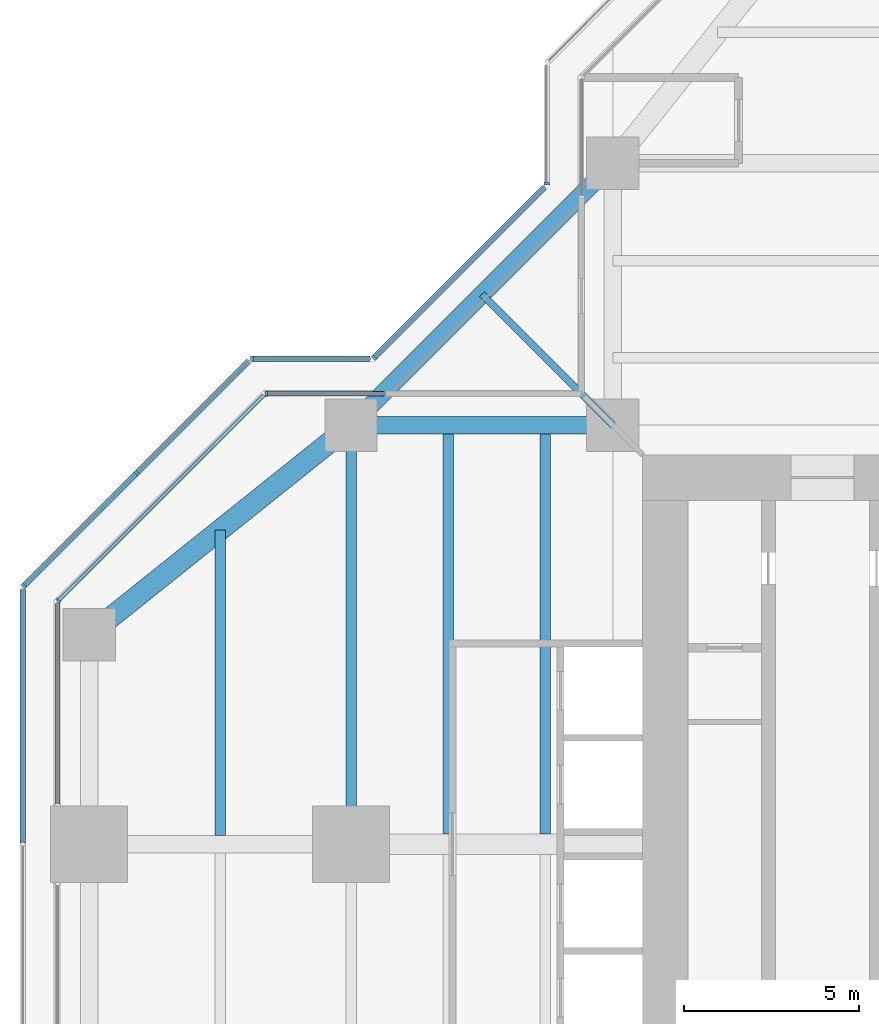
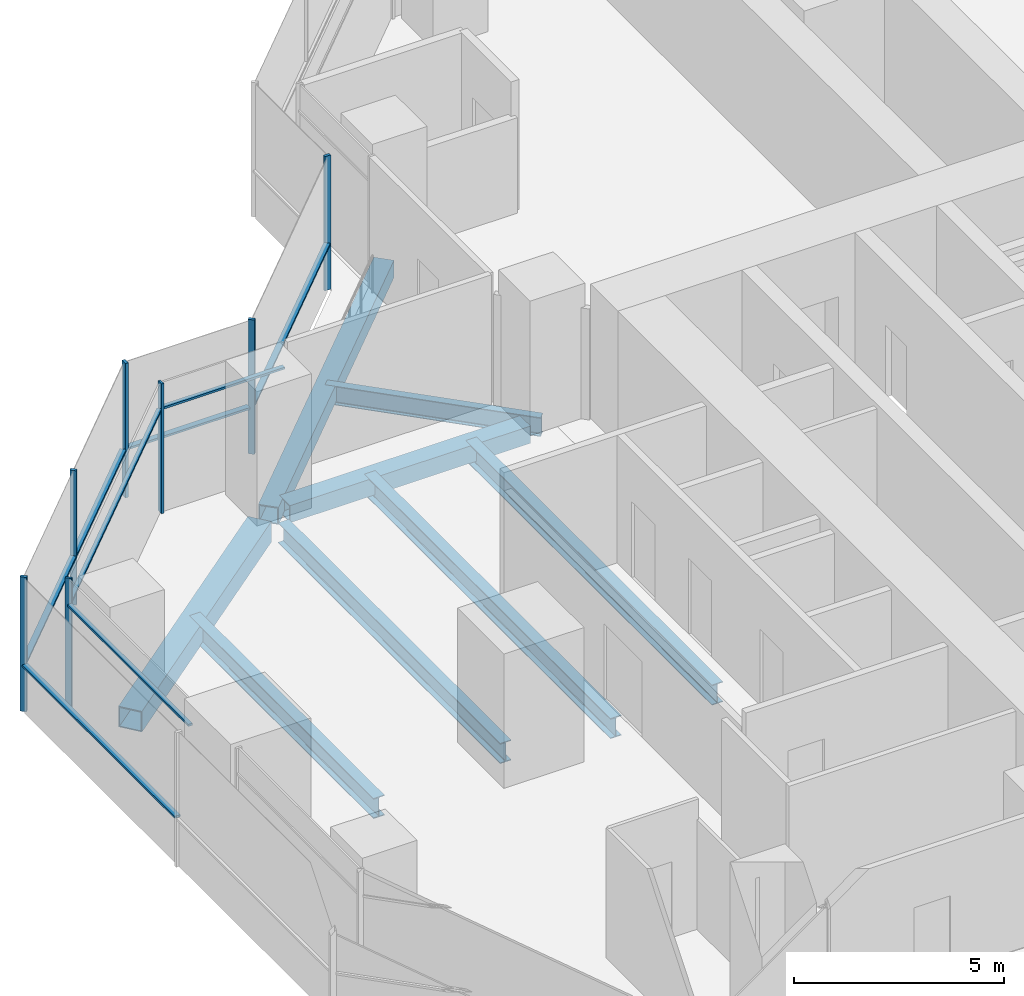
# One storey, part 6 of 17: 15 members, 8 beams, 8 elements without a shape of their own.
"""IFC4 building model written with IfcOpenShell, lengths in metres."""

from ifc_helpers import new_model, si_unit, direction, frame, origin, origin_2d, place, context, subcontext, project, spatial, rectangle, hollow_rectangle, i_section, extrude, material, material_profile, profile_set, type_object, element, aggregate, save


model = new_model("IFC4")

# Units and contexts
model_context = context("Model", 3, precision=1e-05, world=origin(), true_north=direction((0.0, 1.0)))
body_context = subcontext(model_context, "Body", "Model", "MODEL_VIEW")
ifc_project = project(units=[si_unit("LENGTHUNIT", "METRE"), si_unit("AREAUNIT", "SQUARE_METRE"), si_unit("VOLUMEUNIT", "CUBIC_METRE"), si_unit("PLANEANGLEUNIT", "RADIAN"), si_unit("MASSUNIT", "GRAM", prefix="KILO")], contexts=[model_context])

# Site, building, storey
site_placement = place(None, origin())
site = spatial("IfcSite", under=ifc_project, at=site_placement, CompositionType="ELEMENT")
building_placement = place(site_placement, origin())
building = spatial("IfcBuilding", under=site, at=building_placement, Name="Mizan Broadcast Tower", CompositionType="ELEMENT")
storey_placement = place(building_placement, frame((0.0, 0.0, 255.60009765625)))
storey = spatial("IfcBuildingStorey", under=building, at=storey_placement, Name="L60", CompositionType="ELEMENT", Elevation=255.60009765625)

# Beams
ifc_material_1 = material(Name="Steel S355", Category="steel")
ifc_material_profile_1 = material_profile(ifc_material_1, hollow_rectangle(XDim=0.5, YDim=0.5, WallThickness=0.030029296875, at=origin_2d()), Name="BOX 500x500x30")
ifc_profile_set_1 = profile_set([ifc_material_profile_1], Name="Steel S355")
beam_type_1 = type_object("IfcBeamType", Name="EDGE BEAM BOX 500x500x30", PredefinedType="SPANDREL", material=ifc_profile_set_1)
beam_1_placement = place(storey_placement, frame((-12.449951171875, 12.0, -0.380126953125), z_axis=(-1.0, 0.0, 0.0), x_axis=(0.0, -1.0, 0.0)))
element("IfcBeam", 1, at=beam_1_placement, inside=storey, type_object=beam_type_1, Name="Edge beam BOX 500x500x30 L60 west arm", PredefinedType="SPANDREL", context=body_context, shape_type="SweptSolid", body=[
    extrude(hollow_rectangle(XDim=0.5, YDim=0.5, WallThickness=0.030029296875, at=origin_2d()), origin(), (0.0, 0.0, 1.0), 6.60009765625),
])
beam_2_placement = place(storey_placement, frame((-12.0, 19.5, -0.380126953125), z_axis=(-0.707106781187, -0.707106781187, 0.0), x_axis=(0.707106781187, -0.707106781187, 0.0)))
element("IfcBeam", 2, at=beam_2_placement, inside=storey, type_object=beam_type_1, Name="Winter garden edge beam L60 N", PredefinedType="SPANDREL", context=body_context, shape_type="SweptSolid", body=[
    extrude(hollow_rectangle(XDim=0.5, YDim=0.5, WallThickness=0.030029296875, at=origin_2d()), origin(), (0.0, 0.0, 1.0), 10.606689453125),
])
ifc_material_2 = material(Name="Steel S355", Category="steel")
ifc_material_profile_2 = material_profile(ifc_material_2, hollow_rectangle(XDim=0.60009765625, YDim=0.60009765625, WallThickness=0.030029296875, at=origin_2d()), Name="BOX 600x600x30")
ifc_profile_set_2 = profile_set([ifc_material_profile_2], Name="Steel S355")
beam_type_2 = type_object("IfcBeamType", Name="EDGE BEAM BOX 600x600x30", PredefinedType="SPANDREL", material=ifc_profile_set_2)
beam_3_placement = place(storey_placement, frame((-19.949951171875, 11.639892578125, -0.43017578125), z_axis=(-0.780885717636, -0.624673911726, 0.0), x_axis=(0.624673911726, -0.780885717636, 0.0)))
element("IfcBeam", 3, at=beam_3_placement, inside=storey, type_object=beam_type_2, Name="Edge beam BOX 600x600x30 L60 west arm", PredefinedType="SPANDREL", context=body_context, shape_type="SweptSolid", body=[
    extrude(hollow_rectangle(XDim=0.60009765625, YDim=0.60009765625, WallThickness=0.030029296875, at=origin_2d()), origin(), (0.0, 0.0, 1.0), 8.4521484375),
])
ifc_material_3 = material(Name="Steel S355", Category="steel")
ifc_material_profile_3 = material_profile(ifc_material_3, i_section(OverallWidth=0.300048828125, OverallDepth=0.590087890625, WebThickness=0.012939453125, FlangeThickness=0.02490234375, FilletRadius=0.027099609375, at=origin_2d()), Name="HEA 600")
ifc_profile_set_3 = profile_set([ifc_material_profile_3], Name="Steel S355")
beam_type_3 = type_object("IfcBeamType", Name="GIRDER HEA 600", PredefinedType="BEAM", material=ifc_profile_set_3)
beam_4_placement = place(storey_placement, frame((-19.5, 11.280029296875, -0.425048828125), z_axis=(0.0, -1.0, 0.0), x_axis=(1.0, 0.0, 0.0)))
element("IfcBeam", 4, at=beam_4_placement, inside=storey, type_object=beam_type_3, Name="Girder HEA 600 L60 west arm", PredefinedType="BEAM", context=body_context, shape_type="SweptSolid", body=[
    extrude(i_section(OverallWidth=0.300048828125, OverallDepth=0.590087890625, WebThickness=0.012939453125, FlangeThickness=0.02490234375, FilletRadius=0.027099609375, at=origin_2d()), origin(), (0.0, 0.0, 1.0), 10.56005859375),
])

# Curtain wall, member
ifc_material_4 = material(Name="Aluminium framed glazing", Category="aluminium")
curtain_wall_type_1 = type_object("IfcCurtainWallType", Name="INNER SKIN HIGH ZONE", PredefinedType="USERDEFINED", material=ifc_material_4)
curtain_wall_1_placement = place(storey_placement, origin())
curtain_wall_1 = element("IfcCurtainWall", 5, at=curtain_wall_1_placement, inside=storey, type_object=curtain_wall_type_1, Name="Inner skin high zone L60 W side", ObjectType="INNER SKIN HIGH ZONE", PredefinedType="USERDEFINED")
ifc_material_5 = material(Name="Aluminium, pale anodised", Category="aluminium")
ifc_material_profile_4 = material_profile(ifc_material_5, rectangle(XDim=0.159912109375, YDim=0.06005859375, at=origin_2d()), Name="MULLION 160x60")
ifc_profile_set_4 = profile_set([ifc_material_profile_4], Name="Aluminium, pale anodised")
member_type_1 = type_object("IfcMemberType", Name="INNER SKIN MULLION 60x160", PredefinedType="MULLION", material=ifc_profile_set_4)
member_1_placement = place(storey_placement, frame((-21.928466796875, 12.89990234375, 0.0), z_axis=(0.0, 0.0, 1.0), x_axis=(0.0, -1.0, 0.0)))
member_1 = element("IfcMember", 6, at=member_1_placement, type_object=member_type_1, Name="Inner skin high zone L60 W side mullion 2", PredefinedType="MULLION", context=body_context, shape_type="SweptSolid", body=[
    extrude(rectangle(XDim=0.159912109375, YDim=0.06005859375, at=origin_2d()), origin(), (0.0, 0.0, 1.0), 3.77001953125),
])

curtain_wall_2_placement = place(storey_placement, origin())
curtain_wall_2 = element("IfcCurtainWall", 7, at=curtain_wall_2_placement, inside=storey, type_object=curtain_wall_type_1, Name="Inner skin high zone L60 W chamfer", ObjectType="INNER SKIN HIGH ZONE", PredefinedType="USERDEFINED")
member_2_placement = place(storey_placement, frame((-27.87890625, 6.979736328125, 0.0), z_axis=(0.0, 0.0, 1.0), x_axis=(0.707106781187, -0.707106781187, 0.0)))
member_2 = element("IfcMember", 8, at=member_2_placement, type_object=member_type_1, Name="Inner skin high zone L60 W chamfer mullion 2", PredefinedType="MULLION", context=body_context, shape_type="SweptSolid", body=[
    extrude(rectangle(XDim=0.159912109375, YDim=0.06005859375, at=origin_2d()), origin(), (0.0, 0.0, 1.0), 3.77001953125),
])

# Member
ifc_material_6 = material(Name="Aluminium, pale anodised", Category="aluminium")
ifc_material_profile_5 = material_profile(ifc_material_6, rectangle(XDim=0.1201171875, YDim=0.06005859375, at=origin_2d()), Name="TRANSOM 120x60")
ifc_profile_set_5 = profile_set([ifc_material_profile_5], Name="Aluminium, pale anodised")
member_type_2 = type_object("IfcMemberType", Name="INNER SKIN TRANSOM 60x120", PredefinedType="USERDEFINED", material=ifc_profile_set_5)
member_3_placement = place(storey_placement, frame((-18.56005859375, 12.89990234375, 3.02978515625), z_axis=(-1.0, 0.0, 0.0), x_axis=(0.0, -1.0, 0.0)))
member_3 = element("IfcMember", 9, at=member_3_placement, type_object=member_type_2, Name="Inner skin high zone L60 W side transom 1.1", ObjectType="TRANSOM", PredefinedType="USERDEFINED", context=body_context, shape_type="SweptSolid", body=[
    extrude(rectangle(XDim=0.1201171875, YDim=0.06005859375, at=origin_2d()), origin(), (0.0, 0.0, 1.0), 3.338623046875),
])

aggregate(curtain_wall_1, [member_1, member_3])

member_4_placement = place(storey_placement, frame((-22.0009765625, 12.857666015625, 3.02978515625), z_axis=(-0.707106781187, -0.707106781187, 0.0), x_axis=(0.707106781187, -0.707106781187, 0.0)))
member_4 = element("IfcMember", 10, at=member_4_placement, type_object=member_type_2, Name="Inner skin high zone L60 W chamfer transom 1.1", ObjectType="TRANSOM", PredefinedType="USERDEFINED", context=body_context, shape_type="SweptSolid", body=[
    extrude(rectangle(XDim=0.1201171875, YDim=0.06005859375, at=origin_2d()), origin(), (0.0, 0.0, 1.0), 8.28271484375),
])

aggregate(curtain_wall_2, [member_2, member_4])

# Curtain wall, member
curtain_wall_3_placement = place(storey_placement, origin())
curtain_wall_3 = element("IfcCurtainWall", 11, at=curtain_wall_3_placement, inside=storey, type_object=curtain_wall_type_1, Name="Inner skin high zone L60 W end", ObjectType="INNER SKIN HIGH ZONE", PredefinedType="USERDEFINED")
member_5_placement = place(storey_placement, frame((-27.89990234375, 6.898681640625, 3.02978515625), z_axis=(0.0, -1.0, 0.0), x_axis=(1.0, 0.0, 0.0)))
member_5 = element("IfcMember", 12, at=member_5_placement, type_object=member_type_2, Name="Inner skin high zone L60 W end transom 1.1", ObjectType="TRANSOM", PredefinedType="USERDEFINED", context=body_context, shape_type="SweptSolid", body=[
    extrude(rectangle(XDim=0.1201171875, YDim=0.06005859375, at=origin_2d()), origin(), (0.0, 0.0, 1.0), 5.73876953125),
])
aggregate(curtain_wall_3, [member_5])

ifc_material_7 = material(Name="Aluminium framed glazing", Category="aluminium")
curtain_wall_type_2 = type_object("IfcCurtainWallType", Name="OUTER SKIN", PredefinedType="USERDEFINED", material=ifc_material_7)
curtain_wall_4_placement = place(storey_placement, origin())
curtain_wall_4 = element("IfcCurtainWall", 13, at=curtain_wall_4_placement, inside=storey, type_object=curtain_wall_type_2, Name="Outer skin L60 N side", ObjectType="OUTER SKIN", PredefinedType="USERDEFINED")
ifc_material_8 = material(Name="Aluminium, pale anodised", Category="aluminium")
ifc_material_profile_6 = material_profile(ifc_material_8, rectangle(XDim=0.159912109375, YDim=0.080078125, at=origin_2d()), Name="MULLION 160x80")
ifc_profile_set_6 = profile_set([ifc_material_profile_6], Name="Aluminium, pale anodised")
member_type_3 = type_object("IfcMemberType", Name="OUTER SKIN MULLION 80x160", PredefinedType="MULLION", material=ifc_profile_set_6)
member_6_placement = place(storey_placement, frame((-13.89990234375, 18.912841796875, 0.0), z_axis=(0.0, 0.0, 1.0), x_axis=(1.0, 0.0, 0.0)))
member_6 = element("IfcMember", 14, at=member_6_placement, type_object=member_type_3, Name="Outer skin L60 N side mullion 2", PredefinedType="MULLION", context=body_context, shape_type="SweptSolid", body=[
    extrude(rectangle(XDim=0.159912109375, YDim=0.080078125, at=origin_2d()), origin(), (0.0, 0.0, 1.0), 3.89990234375),
])
aggregate(curtain_wall_4, [member_6])

curtain_wall_5_placement = place(storey_placement, origin())
curtain_wall_5 = element("IfcCurtainWall", 15, at=curtain_wall_5_placement, inside=storey, type_object=curtain_wall_type_2, Name="Outer skin L60 W chamfer", ObjectType="OUTER SKIN", PredefinedType="USERDEFINED")
member_7_placement = place(storey_placement, frame((-18.844482421875, 13.92822265625, 0.0), z_axis=(0.0, 0.0, 1.0), x_axis=(0.707106781187, -0.707106781187, 0.0)))
member_7 = element("IfcMember", 16, at=member_7_placement, type_object=member_type_3, Name="Outer skin L60 W chamfer mullion 2", PredefinedType="MULLION", context=body_context, shape_type="SweptSolid", body=[
    extrude(rectangle(XDim=0.159912109375, YDim=0.080078125, at=origin_2d()), origin(), (0.0, 0.0, 1.0), 3.89990234375),
])

curtain_wall_6_placement = place(storey_placement, origin())
curtain_wall_6 = element("IfcCurtainWall", 17, at=curtain_wall_6_placement, inside=storey, type_object=curtain_wall_type_2, Name="Outer skin L60 W side", ObjectType="OUTER SKIN", PredefinedType="USERDEFINED")
member_8_placement = place(storey_placement, frame((-22.332763671875, 13.89990234375, 0.0), z_axis=(0.0, 0.0, 1.0), x_axis=(0.0, -1.0, 0.0)))
member_8 = element("IfcMember", 18, at=member_8_placement, type_object=member_type_3, Name="Outer skin L60 W side mullion 2", PredefinedType="MULLION", context=body_context, shape_type="SweptSolid", body=[
    extrude(rectangle(XDim=0.159912109375, YDim=0.080078125, at=origin_2d()), origin(), (0.0, 0.0, 1.0), 3.89990234375),
])

# Curtain wall, members
curtain_wall_7_placement = place(storey_placement, origin())
curtain_wall_7 = element("IfcCurtainWall", 19, at=curtain_wall_7_placement, inside=storey, type_object=curtain_wall_type_2, Name="Outer skin L60 W chamfer", ObjectType="OUTER SKIN", PredefinedType="USERDEFINED")
member_9_placement = place(storey_placement, frame((-25.636474609375, 10.636474609375, 0.0), z_axis=(0.0, 0.0, 1.0), x_axis=(0.707106781187, -0.707106781187, 0.0)))
member_9 = element("IfcMember", 20, at=member_9_placement, type_object=member_type_3, Name="Outer skin L60 W chamfer mullion 2", PredefinedType="MULLION", context=body_context, shape_type="SweptSolid", body=[
    extrude(rectangle(XDim=0.159912109375, YDim=0.080078125, at=origin_2d()), origin(), (0.0, 0.0, 1.0), 3.89990234375),
])
member_10_placement = place(storey_placement, frame((-28.871826171875, 7.401123046875, 0.0), z_axis=(0.0, 0.0, 1.0), x_axis=(0.707106781187, -0.707106781187, 0.0)))
member_10 = element("IfcMember", 21, at=member_10_placement, type_object=member_type_3, Name="Outer skin L60 W chamfer mullion 3", PredefinedType="MULLION", context=body_context, shape_type="SweptSolid", body=[
    extrude(rectangle(XDim=0.159912109375, YDim=0.080078125, at=origin_2d()), origin(), (0.0, 0.0, 1.0), 3.89990234375),
])

# Member
ifc_material_9 = material(Name="Aluminium, pale anodised", Category="aluminium")
ifc_material_profile_7 = material_profile(ifc_material_9, rectangle(XDim=0.159912109375, YDim=0.06005859375, at=origin_2d()), Name="TRANSOM 160x60")
ifc_profile_set_7 = profile_set([ifc_material_profile_7], Name="Aluminium, pale anodised")
member_type_4 = type_object("IfcMemberType", Name="OUTER SKIN TRANSOM 60x160", PredefinedType="USERDEFINED", material=ifc_profile_set_7)
member_11_placement = place(storey_placement, frame((-13.95654296875, 18.816162109375, 1.39990234375), z_axis=(-0.707106781187, -0.707106781187, 0.0), x_axis=(0.707106781187, -0.707106781187, 0.0)))
member_11 = element("IfcMember", 22, at=member_11_placement, type_object=member_type_4, Name="Outer skin L60 W chamfer transom 1.1", ObjectType="TRANSOM", PredefinedType="USERDEFINED", context=body_context, shape_type="SweptSolid", body=[
    extrude(rectangle(XDim=0.159912109375, YDim=0.06005859375, at=origin_2d()), origin(), (0.0, 0.0, 1.0), 6.87255859375),
])

aggregate(curtain_wall_5, [member_7, member_11])

member_12_placement = place(storey_placement, frame((-18.952880859375, 13.89990234375, 1.39990234375), z_axis=(-1.0, 0.0, 0.0), x_axis=(0.0, -1.0, 0.0)))
member_12 = element("IfcMember", 23, at=member_12_placement, type_object=member_type_4, Name="Outer skin L60 W side transom 1.1", ObjectType="TRANSOM", PredefinedType="USERDEFINED", context=body_context, shape_type="SweptSolid", body=[
    extrude(rectangle(XDim=0.159912109375, YDim=0.06005859375, at=origin_2d()), origin(), (0.0, 0.0, 1.0), 3.33984375),
])

aggregate(curtain_wall_6, [member_8, member_12])

member_13_placement = place(storey_placement, frame((-22.429443359375, 13.843505859375, 1.39990234375), z_axis=(-0.707106781187, -0.707106781187, 0.0), x_axis=(0.707106781187, -0.707106781187, 0.0)))
member_13 = element("IfcMember", 24, at=member_13_placement, type_object=member_type_4, Name="Outer skin L60 W chamfer transom 1.1", ObjectType="TRANSOM", PredefinedType="USERDEFINED", context=body_context, shape_type="SweptSolid", body=[
    extrude(rectangle(XDim=0.159912109375, YDim=0.06005859375, at=origin_2d()), origin(), (0.0, 0.0, 1.0), 4.495361328125),
])

member_14_placement = place(storey_placement, frame((-25.664794921875, 10.608154296875, 1.39990234375), z_axis=(-0.707106781187, -0.707106781187, 0.0), x_axis=(0.707106781187, -0.707106781187, 0.0)))
member_14 = element("IfcMember", 25, at=member_14_placement, type_object=member_type_4, Name="Outer skin L60 W chamfer transom 2.1", ObjectType="TRANSOM", PredefinedType="USERDEFINED", context=body_context, shape_type="SweptSolid", body=[
    extrude(rectangle(XDim=0.159912109375, YDim=0.06005859375, at=origin_2d()), origin(), (0.0, 0.0, 1.0), 4.495361328125),
])

aggregate(curtain_wall_7, [member_9, member_10, member_13, member_14])

# Curtain wall, member
curtain_wall_8_placement = place(storey_placement, origin())
curtain_wall_8 = element("IfcCurtainWall", 26, at=curtain_wall_8_placement, inside=storey, type_object=curtain_wall_type_2, Name="Outer skin L60 W end", ObjectType="OUTER SKIN", PredefinedType="USERDEFINED")
member_15_placement = place(storey_placement, frame((-28.89990234375, 7.292724609375, 1.39990234375), z_axis=(0.0, -1.0, 0.0), x_axis=(1.0, 0.0, 0.0)))
member_15 = element("IfcMember", 27, at=member_15_placement, type_object=member_type_4, Name="Outer skin L60 W end transom 1.1", ObjectType="TRANSOM", PredefinedType="USERDEFINED", context=body_context, shape_type="SweptSolid", body=[
    extrude(rectangle(XDim=0.159912109375, YDim=0.06005859375, at=origin_2d()), origin(), (0.0, 0.0, 1.0), 7.252685546875),
])
aggregate(curtain_wall_8, [member_15])

# Beams
ifc_material_10 = material(Name="Steel S355", Category="steel")
ifc_material_profile_8 = material_profile(ifc_material_10, i_section(OverallWidth=0.300048828125, OverallDepth=0.590087890625, WebThickness=0.012939453125, FlangeThickness=0.02490234375, FilletRadius=0.027099609375, at=origin_2d()), Name="HEA 600")
ifc_profile_set_8 = profile_set([ifc_material_profile_8], Name="Steel S355")
beam_type_4 = type_object("IfcBeamType", Name="SECONDARY BEAM HEA 600", PredefinedType="JOIST", material=ifc_profile_set_8)
for number, where, z_axis, x_axis, name in (
    (28, (-13.933349609375, 12.0, -0.425048828125), (0.0, -1.0, 0.0), (1.0, 0.0, 0.0), "Secondary beam HEA 600 L60 west arm"),
    (29, (-16.716552734375, 12.0, -0.425048828125), (0.0, -1.0, 0.0), (1.0, 0.0, 0.0), "Secondary beam HEA 600 L60 west arm"),
):
    element("IfcBeam", number, at=place(storey_placement, frame(where, z_axis=z_axis, x_axis=x_axis)), inside=storey, type_object=beam_type_4, Name=name, PredefinedType="JOIST", context=body_context, shape_type="SweptSolid", body=[
        extrude(i_section(OverallWidth=0.300048828125, OverallDepth=0.590087890625, WebThickness=0.012939453125, FlangeThickness=0.02490234375, FilletRadius=0.027099609375, at=origin_2d()), origin(), (0.0, 0.0, 1.0), 11.699951171875),
    ])
beam_5_placement = place(storey_placement, frame((-23.25, 9.0, -0.425048828125), z_axis=(0.0, -1.0, 0.0), x_axis=(1.0, 0.0, 0.0)))
element("IfcBeam", 30, at=beam_5_placement, inside=storey, type_object=beam_type_4, Name="Secondary beam HEA 600 L60 west arm", PredefinedType="JOIST", context=body_context, shape_type="SweptSolid", body=[
    extrude(i_section(OverallWidth=0.300048828125, OverallDepth=0.590087890625, WebThickness=0.012939453125, FlangeThickness=0.02490234375, FilletRadius=0.027099609375, at=origin_2d()), origin(), (0.0, 0.0, 1.0), 8.75),
])
ifc_material_11 = material(Name="Steel S355", Category="steel")
ifc_material_profile_9 = material_profile(ifc_material_11, i_section(OverallWidth=0.2099609375, OverallDepth=0.550048828125, WebThickness=0.010986328125, FlangeThickness=0.01708984375, FilletRadius=0.02392578125, at=origin_2d()), Name="IPE 550")
ifc_profile_set_9 = profile_set([ifc_material_profile_9], Name="Steel S355")
beam_type_5 = type_object("IfcBeamType", Name="SECONDARY BEAM IPE 550", PredefinedType="JOIST", material=ifc_profile_set_9)
beam_6_placement = place(storey_placement, frame((-12.0, 12.0, -0.405029296875), z_axis=(-0.707106781187, 0.707106781187, 0.0), x_axis=(-0.707106781187, -0.707106781187, 0.0)))
element("IfcBeam", 31, at=beam_6_placement, inside=storey, type_object=beam_type_5, Name="Winter garden beam L60 N", PredefinedType="JOIST", context=body_context, shape_type="SweptSolid", body=[
    extrude(i_section(OverallWidth=0.2099609375, OverallDepth=0.550048828125, WebThickness=0.010986328125, FlangeThickness=0.01708984375, FilletRadius=0.02392578125, at=origin_2d()), origin(), (0.0, 0.0, 1.0), 5.30322265625),
])

save(model, "model.ifc")
